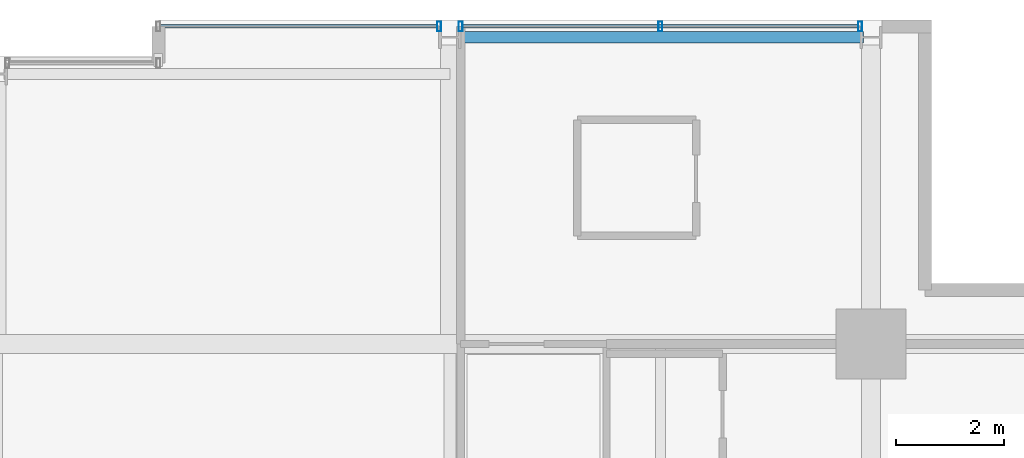
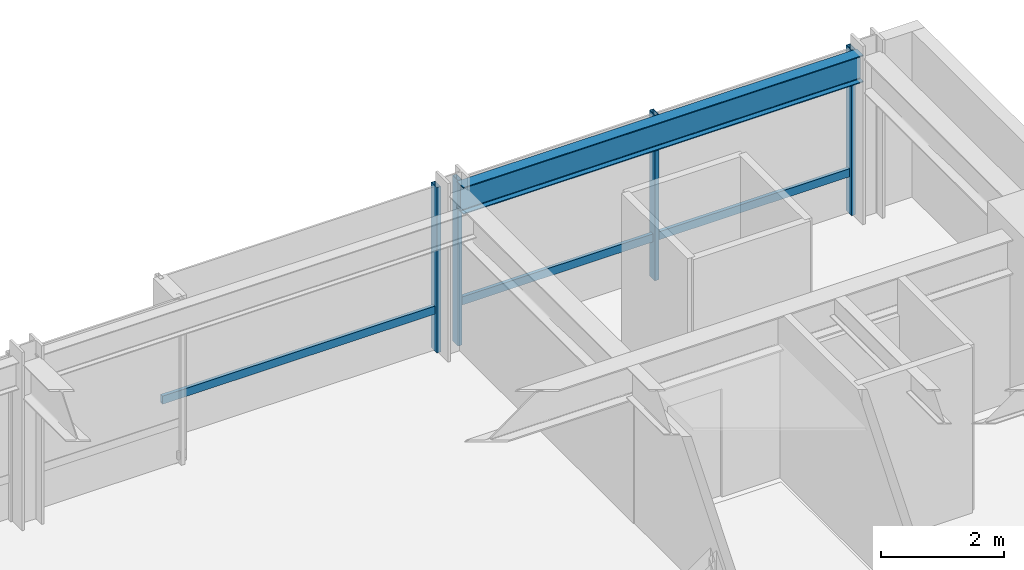
# One storey, part 25 of 33: 6 members, 1 beam, 2 elements without a shape of their own.
"""IFC4 building model written with IfcOpenShell, lengths in metres."""

from ifc_helpers import new_model, si_unit, direction, frame, origin, origin_2d, place, context, subcontext, project, spatial, hollow_rectangle, i_section, extrude, material, layer, layer_set, material_profile, profile_set, type_object, element, aggregate, save


model = new_model("IFC4")

# Units and contexts
model_context = context("Model", 3, precision=1e-05, world=origin(), true_north=direction((0.0, 1.0)))
body_context = subcontext(model_context, "Body", "Model", "MODEL_VIEW")
ifc_project = project(units=[si_unit("LENGTHUNIT", "METRE"), si_unit("AREAUNIT", "SQUARE_METRE"), si_unit("VOLUMEUNIT", "CUBIC_METRE"), si_unit("PLANEANGLEUNIT", "RADIAN"), si_unit("MASSUNIT", "GRAM", prefix="KILO")], contexts=[model_context])

# Site, building, storey
site_placement = place(None, origin())
site = spatial("IfcSite", under=ifc_project, at=site_placement, CompositionType="ELEMENT")
building_placement = place(site_placement, origin())
building = spatial("IfcBuilding", under=site, at=building_placement, Name="Drelvath Grand Hotel", CompositionType="ELEMENT")
storey_placement = place(building_placement, frame((0.0, 0.0, 168.14990234375)))
storey = spatial("IfcBuildingStorey", under=building, at=storey_placement, Name="L43", CompositionType="ELEMENT", Elevation=168.14990234375)

# Curtain wall, member
ifc_material_1 = material(Name="Brushed Pale-Silver Anodised Aluminium Frame", Category="aluminium")
ifc_layer = layer(ifc_material_1, 0.199951171875)
ifc_layer_set = layer_set([ifc_layer], Name="Brushed Pale-Silver Anodised Aluminium Frame")
curtain_wall_type = type_object("IfcCurtainWallType", Name="Stick Curtain Wall CW-04 Brushed Silver Upper-Mid", PredefinedType="NOTDEFINED", material=ifc_layer_set)
curtain_wall_1_placement = place(storey_placement, origin())
curtain_wall_1 = element("IfcCurtainWall", 1, at=curtain_wall_1_placement, inside=storey, type_object=curtain_wall_type, Name="L43 CW-04 Curtain Wall CW04-L43-NE1", PredefinedType="NOTDEFINED")
ifc_material_profile_1 = material_profile(ifc_material_1, hollow_rectangle(XDim=0.06494140625, YDim=0.159912109375, WallThickness=0.00390625, at=origin_2d()), Name="HSS160X65X4")
ifc_profile_set_1 = profile_set([ifc_material_profile_1], Name="Brushed Pale-Silver Anodised Aluminium Frame")
member_type_1 = type_object("IfcMemberType", Name="Curtain Wall Horizontal Transom CW-04 HSS160X65X4", PredefinedType="USERDEFINED", material=ifc_profile_set_1)
member_1_placement = place(storey_placement, frame((3.0400390625, 49.080078125, 0.822509765625), z_axis=(1.0, 0.0, 0.0), x_axis=(0.0, 1.0, 0.0)))
member_1 = element("IfcMember", 2, at=member_1_placement, type_object=member_type_1, Name="CW04-L43-NE1 Sill Transom", ObjectType="TRANSOM", PredefinedType="USERDEFINED", context=body_context, shape_type="SweptSolid", body=[
    extrude(hollow_rectangle(XDim=0.06494140625, YDim=0.159912109375, WallThickness=0.00390625, at=origin_2d()), origin(), (0.0, 0.0, 1.0), 5.119873046875),
])

curtain_wall_2_placement = place(storey_placement, origin())
curtain_wall_2 = element("IfcCurtainWall", 3, at=curtain_wall_2_placement, inside=storey, type_object=curtain_wall_type, Name="L43 CW-04 Curtain Wall CW04-L43-NE2", PredefinedType="NOTDEFINED")
member_2_placement = place(storey_placement, frame((8.64013671875, 49.080078125, 0.822509765625), z_axis=(1.0, 0.0, 0.0), x_axis=(0.0, 1.0, 0.0)))
member_2 = element("IfcMember", 4, at=member_2_placement, type_object=member_type_1, Name="CW04-L43-NE2 Sill Transom", ObjectType="TRANSOM", PredefinedType="USERDEFINED", context=body_context, shape_type="SweptSolid", body=[
    extrude(hollow_rectangle(XDim=0.06494140625, YDim=0.159912109375, WallThickness=0.00390625, at=origin_2d()), origin(), (0.0, 0.0, 1.0), 7.31982421875),
])

# Member
ifc_material_profile_2 = material_profile(ifc_material_1, hollow_rectangle(XDim=0.074951171875, YDim=0.179931640625, WallThickness=0.0048828125, at=origin_2d()), Name="HSS180X75X5")
ifc_profile_set_2 = profile_set([ifc_material_profile_2], Name="Brushed Pale-Silver Anodised Aluminium Frame")
member_type_2 = type_object("IfcMemberType", Name="Curtain Wall Vertical Mullion CW-04 HSS180X75X5", PredefinedType="MULLION", material=ifc_profile_set_2)
member_3_placement = place(storey_placement, frame((8.199951171875, 49.080078125, 0.0), z_axis=(0.0, 0.0, 1.0), x_axis=(1.0, 0.0, 0.0)))
member_3 = element("IfcMember", 5, at=member_3_placement, type_object=member_type_2, Name="CW04-L43-NE1 Mullion 2", PredefinedType="MULLION", context=body_context, shape_type="SweptSolid", body=[
    extrude(hollow_rectangle(XDim=0.074951171875, YDim=0.179931640625, WallThickness=0.0048828125, at=origin_2d()), origin(), (0.0, 0.0, 1.0), 3.2900390625),
])

aggregate(curtain_wall_1, [member_3, member_1])

member_4_placement = place(storey_placement, frame((8.60009765625, 49.080078125, 0.0), z_axis=(0.0, 0.0, 1.0), x_axis=(1.0, 0.0, 0.0)))
member_4 = element("IfcMember", 6, at=member_4_placement, type_object=member_type_2, Name="CW04-L43-NE2 Mullion 1", PredefinedType="MULLION", context=body_context, shape_type="SweptSolid", body=[
    extrude(hollow_rectangle(XDim=0.074951171875, YDim=0.179931640625, WallThickness=0.0048828125, at=origin_2d()), origin(), (0.0, 0.0, 1.0), 3.2900390625),
])

member_5_placement = place(storey_placement, frame((12.300048828125, 49.080078125, 0.0), z_axis=(0.0, 0.0, 1.0), x_axis=(1.0, 0.0, 0.0)))
member_5 = element("IfcMember", 7, at=member_5_placement, type_object=member_type_2, Name="CW04-L43-NE2 Mullion 2", PredefinedType="MULLION", context=body_context, shape_type="SweptSolid", body=[
    extrude(hollow_rectangle(XDim=0.074951171875, YDim=0.179931640625, WallThickness=0.0048828125, at=origin_2d()), origin(), (0.0, 0.0, 1.0), 3.2900390625),
])

member_6_placement = place(storey_placement, frame((16.0, 49.080078125, 0.0), z_axis=(0.0, 0.0, 1.0), x_axis=(1.0, 0.0, 0.0)))
member_6 = element("IfcMember", 8, at=member_6_placement, type_object=member_type_2, Name="CW04-L43-NE2 Mullion 3", PredefinedType="MULLION", context=body_context, shape_type="SweptSolid", body=[
    extrude(hollow_rectangle(XDim=0.074951171875, YDim=0.179931640625, WallThickness=0.0048828125, at=origin_2d()), origin(), (0.0, 0.0, 1.0), 3.2900390625),
])

aggregate(curtain_wall_2, [member_4, member_5, member_6, member_2])

# Beam
ifc_material_2 = material(Name="Steel ASTM A992 Gr 50", Category="steel")
ifc_material_profile_3 = material_profile(ifc_material_2, i_section(OverallWidth=0.210205078125, OverallDepth=0.53662109375, WebThickness=0.010986328125, FlangeThickness=0.017333984375, FilletRadius=0.01806640625, at=origin_2d()), Name="W21X68")
ifc_profile_set_3 = profile_set([ifc_material_profile_3], Name="Steel ASTM A992 Gr 50")
beam_type = type_object("IfcBeamType", Name="Perimeter Spandrel Beam W21X68", PredefinedType="SPANDREL", material=ifc_profile_set_3)
beam_placement = place(storey_placement, frame((8.5400390625, 48.8798828125, 3.021728515625), z_axis=(1.0, 0.0, 0.0), x_axis=(0.0, 1.0, 0.0)))
element("IfcBeam", 9, at=beam_placement, inside=storey, type_object=beam_type, Name="L43 Spandrel North E", PredefinedType="SPANDREL", context=body_context, shape_type="SweptSolid", body=[
    extrude(i_section(OverallWidth=0.210205078125, OverallDepth=0.53662109375, WebThickness=0.010986328125, FlangeThickness=0.017333984375, FilletRadius=0.01806640625, at=origin_2d()), origin(), (0.0, 0.0, 1.0), 7.52001953125),
])

save(model, "model.ifc")
